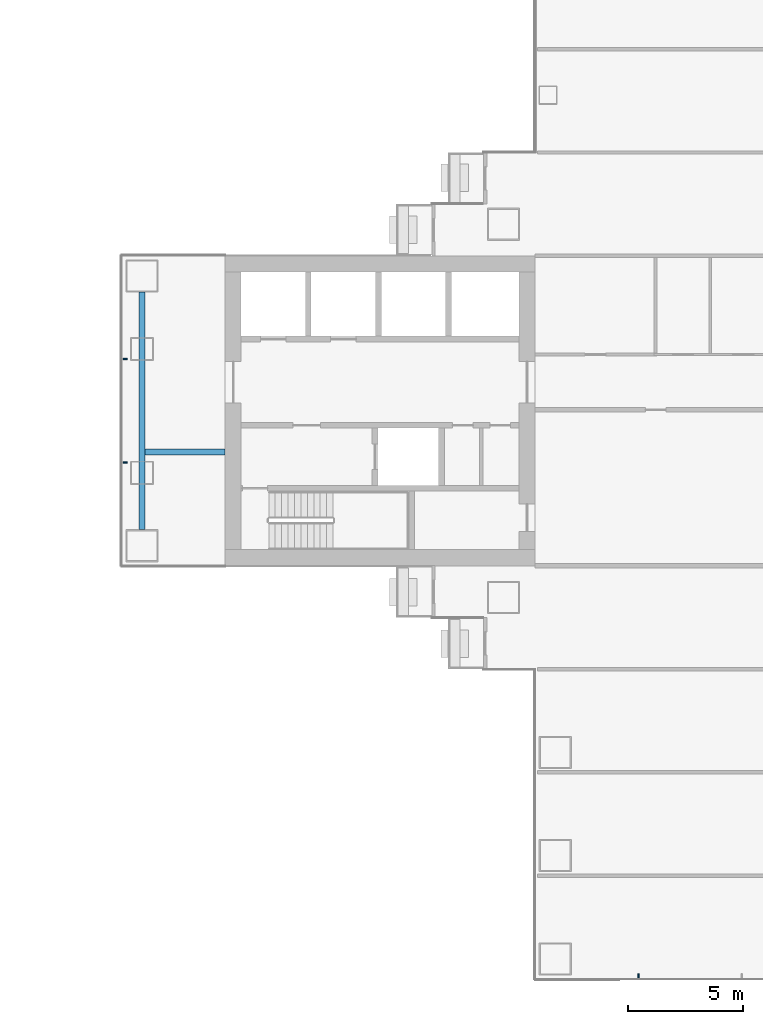
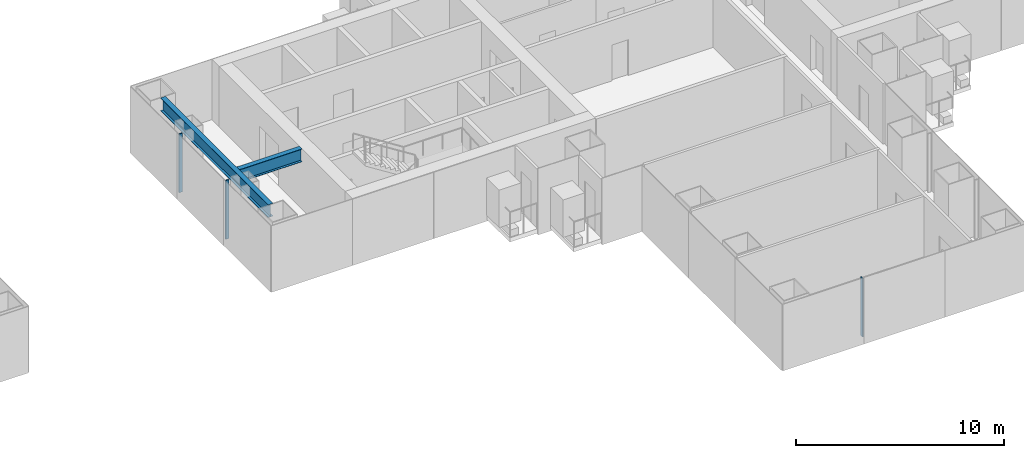
# One storey, part 7 of 21: 3 members, 2 beams, 2 elements without a shape of their own.
"""IFC4 building model written with IfcOpenShell, lengths in metres."""

from ifc_helpers import new_model, si_unit, direction, frame, origin, origin_2d, place, context, subcontext, project, spatial, rectangle, i_section, extrude, material, layer, layer_set, material_profile, profile_set, type_object, element, aggregate, save


model = new_model("IFC4")

# Units and contexts
model_context = context("Model", 3, precision=1e-05, world=origin(), true_north=direction((0.0, 1.0)))
body_context = subcontext(model_context, "Body", "Model", "MODEL_VIEW")
ifc_project = project(units=[si_unit("LENGTHUNIT", "METRE"), si_unit("AREAUNIT", "SQUARE_METRE"), si_unit("VOLUMEUNIT", "CUBIC_METRE"), si_unit("PLANEANGLEUNIT", "RADIAN"), si_unit("MASSUNIT", "GRAM", prefix="KILO")], contexts=[model_context])

# Site, building, storey
site_placement = place(None, origin())
site = spatial("IfcSite", under=ifc_project, at=site_placement, CompositionType="ELEMENT")
building_placement = place(site_placement, origin())
building = spatial("IfcBuilding", under=site, at=building_placement, Name="Shamsa Quay Exchange Towers", CompositionType="ELEMENT")
storey_placement = place(building_placement, frame((0.0, 0.0, 53.699951171875)))
storey = spatial("IfcBuildingStorey", under=building, at=storey_placement, Name="L11", CompositionType="ELEMENT", Elevation=53.699951171875)

# Curtain wall, members
ifc_material_1 = material(Name="Aluminium EN AW-6063 T6, black anodised", Category="aluminium")
ifc_layer = layer(ifc_material_1, 0.280029296875)
ifc_layer_set = layer_set([ifc_layer], Name="CW-1 UNITISED VISION GLASS")
curtain_wall_type = type_object("IfcCurtainWallType", Name="CW-1 UNITISED VISION GLASS", PredefinedType="NOTDEFINED", material=ifc_layer_set)
curtain_wall_1_placement = place(storey_placement, origin())
curtain_wall_1 = element("IfcCurtainWall", 1, at=curtain_wall_1_placement, inside=storey, type_object=curtain_wall_type, Name="CW1 T2-END-V+ L11", PredefinedType="NOTDEFINED")
ifc_material_profile_1 = material_profile(ifc_material_1, rectangle(XDim=0.179931640625, YDim=0.06005859375, at=origin_2d()), Name="MU60x180")
ifc_profile_set_1 = profile_set([ifc_material_profile_1], Name="Aluminium EN AW-6063 T6, black anodised")
member_type = type_object("IfcMemberType", Name="CW1 MULLION 60x180", PredefinedType="MULLION", material=ifc_profile_set_1)
member_1_placement = place(storey_placement, frame((9.14990234375, 2.25, 0.0)))
member_1 = element("IfcMember", 2, at=member_1_placement, type_object=member_type, Name="CW1 mullion", PredefinedType="MULLION", context=body_context, shape_type="SweptSolid", body=[
    extrude(rectangle(XDim=0.179931640625, YDim=0.06005859375, at=origin_2d()), origin(), (0.0, 0.0, 1.0), 3.449951171875),
])
member_2_placement = place(storey_placement, frame((9.14990234375, -2.25, 0.0)))
member_2 = element("IfcMember", 3, at=member_2_placement, type_object=member_type, Name="CW1 mullion", PredefinedType="MULLION", context=body_context, shape_type="SweptSolid", body=[
    extrude(rectangle(XDim=0.179931640625, YDim=0.06005859375, at=origin_2d()), origin(), (0.0, 0.0, 1.0), 3.449951171875),
])
aggregate(curtain_wall_1, [member_1, member_2])

# Curtain wall, member
curtain_wall_2_placement = place(storey_placement, origin())
curtain_wall_2 = element("IfcCurtainWall", 4, at=curtain_wall_2_placement, inside=storey, type_object=curtain_wall_type, Name="CW1 T2-END-U- L11", PredefinedType="NOTDEFINED")
member_3_placement = place(storey_placement, frame((31.5, -24.60009765625, 0.0), z_axis=(0.0, 0.0, 1.0), x_axis=(0.0, 1.0, 0.0)))
member_3 = element("IfcMember", 5, at=member_3_placement, type_object=member_type, Name="CW1 mullion", PredefinedType="MULLION", context=body_context, shape_type="SweptSolid", body=[
    extrude(rectangle(XDim=0.179931640625, YDim=0.06005859375, at=origin_2d()), origin(), (0.0, 0.0, 1.0), 3.449951171875),
])
aggregate(curtain_wall_2, [member_3])

# Beams
ifc_material_2 = material(Name="Steel S355", Category="steel")
ifc_material_profile_2 = material_profile(ifc_material_2, i_section(OverallWidth=0.26611328125, OverallDepth=0.7578125, WebThickness=0.013916015625, FlangeThickness=0.019287109375, at=origin_2d()), Name="W30x108")
ifc_profile_set_2 = profile_set([ifc_material_profile_2], Name="Steel S355")
beam_type = type_object("IfcBeamType", Name="End-zone beam W30x108", PredefinedType="BEAM", material=ifc_profile_set_2)
beam_1_placement = place(storey_placement, frame((9.875, -5.175048828125, 3.171142578125), z_axis=(0.0, 1.0, 0.0), x_axis=(-1.0, 0.0, 0.0)))
element("IfcBeam", 6, at=beam_1_placement, inside=storey, type_object=beam_type, Name="End beam T2 V+ end zone L11", PredefinedType="BEAM", context=body_context, shape_type="SweptSolid", body=[
    extrude(i_section(OverallWidth=0.26611328125, OverallDepth=0.7578125, WebThickness=0.013916015625, FlangeThickness=0.019287109375, at=origin_2d()), origin(), (0.0, 0.0, 1.0), 10.35009765625),
])
beam_2_placement = place(storey_placement, frame((13.5, -1.800048828125, 3.171142578125), z_axis=(-1.0, 0.0, 0.0), x_axis=(0.0, -1.0, 0.0)))
element("IfcBeam", 7, at=beam_2_placement, inside=storey, type_object=beam_type, Name="Spine beam T2 V+ end zone L11", PredefinedType="BEAM", context=body_context, shape_type="SweptSolid", body=[
    extrude(i_section(OverallWidth=0.26611328125, OverallDepth=0.7578125, WebThickness=0.013916015625, FlangeThickness=0.019287109375, at=origin_2d()), origin(), (0.0, 0.0, 1.0), 3.491943359375),
])

save(model, "model.ifc")
